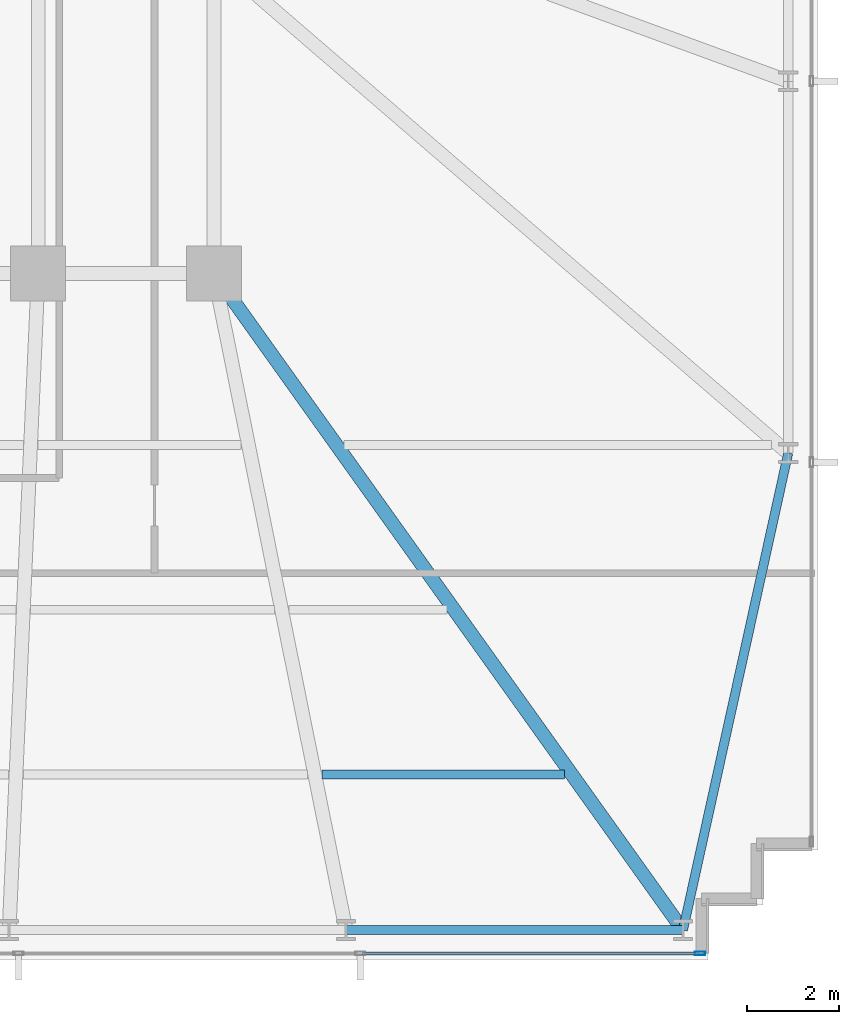
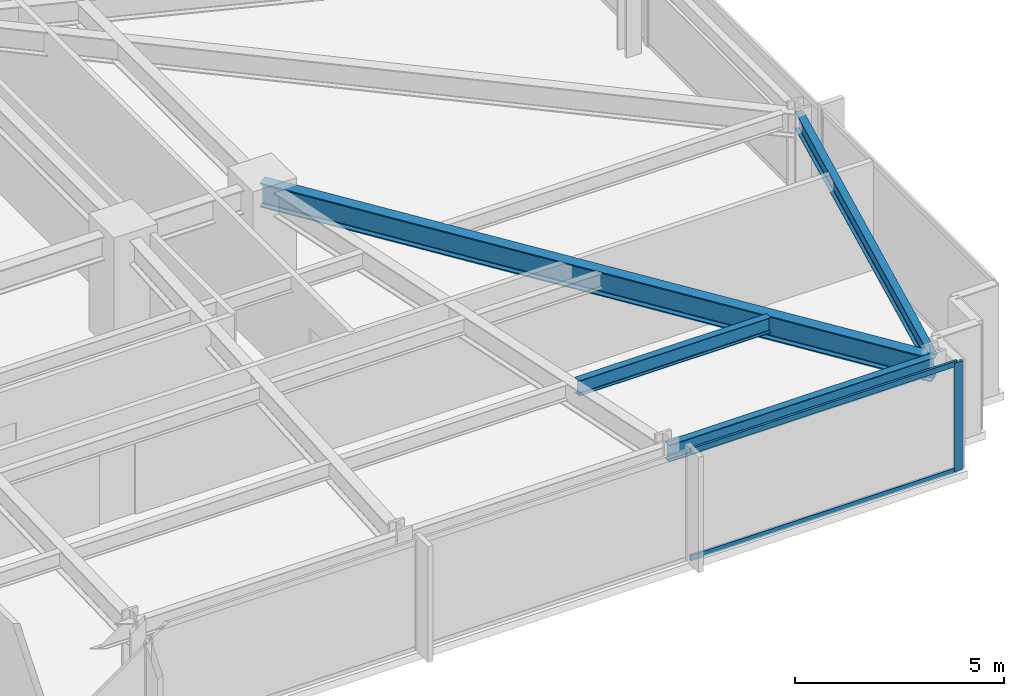
# One storey, part 15 of 32: 4 beams, 3 members, 1 element without a shape of its own.
"""IFC4 building model written with IfcOpenShell, lengths in metres."""

import ifcopenshell
import ifcopenshell.guid

model = None  # the IFC model being written
_history = None  # IfcOwnerHistory: only IFC2X3 demands one
_inside = {}  # id of a spatial element -> (the spatial element, [elements in it])
_under = {}  # id of a project, library or spatial element -> (it, [spatial elements below it])
_declared = {}  # id of a project -> (the project, [libraries it declares])
_typed = {}  # id of a type object -> (the type object, [elements of that type])
_made_of = {}  # id of a material, layer set ... -> (it, [elements and type objects made of it])


def new_model(schema):
    """Start an empty IFC model of exactly this schema.

    Asked for "IFC4X3", IfcOpenShell would pick the latest addendum, in which some entities
    have other attributes; the version numbers below select the first issue.
    IFC2X3 requires an IfcOwnerHistory on every rooted entity: one is made here for all.
    """
    global model, _history
    if schema == "IFC4X3":
        model = ifcopenshell.file(schema_version=(4, 3, 0, 0))
    else:
        model = ifcopenshell.file(schema=schema)
    _inside.clear()
    _under.clear()
    _declared.clear()
    _typed.clear()
    _made_of.clear()
    _history = None
    if model.schema == "IFC2X3":
        org = make("IfcOrganization", Name="unknown")
        user = make(
            "IfcPersonAndOrganization",
            ThePerson=make("IfcPerson", FamilyName="unknown"),
            TheOrganization=org,
        )
        app = make(
            "IfcApplication",
            ApplicationDeveloper=org,
            Version="unknown",
            ApplicationFullName="unknown",
            ApplicationIdentifier="unknown",
        )
        _history = make(
            "IfcOwnerHistory",
            OwningUser=user,
            OwningApplication=app,
            ChangeAction="ADDED",
            CreationDate=0,
        )
    return model


def make(cls, **values):
    """One entity of the class cls with the attributes given. An attribute that is None is left unset."""
    return model.create_entity(
        cls, **{name: value for name, value in values.items() if value is not None}
    )


def rooted(cls, **values):
    """An entity with a GlobalId (a new one), such as an element, a storey or a relation."""
    return make(cls, GlobalId=ifcopenshell.guid.new(), OwnerHistory=_history, **values)


def si_unit(unit_type, name, prefix=None):
    """IfcSIUnit, for example si_unit("LENGTHUNIT", "METRE", prefix="MILLI")."""
    return make("IfcSIUnit", UnitType=unit_type, Prefix=prefix, Name=name)


def assignment(units):
    """IfcUnitAssignment: the units of a project."""
    return None if units is None else make("IfcUnitAssignment", Units=units)


def point(xyz):
    """IfcCartesianPoint."""
    return None if xyz is None else make("IfcCartesianPoint", Coordinates=xyz)


def direction(xyz):
    """IfcDirection."""
    return None if xyz is None else make("IfcDirection", DirectionRatios=xyz)


def frame(location, z_axis=None, x_axis=None):
    """IfcAxis2Placement3D, a coordinate frame: its origin and axes. An axis left out is left unset."""
    return make(
        "IfcAxis2Placement3D",
        Location=point(location),
        Axis=direction(z_axis),
        RefDirection=direction(x_axis),
    )


def frame_2d(location, x_axis=None):
    """IfcAxis2Placement2D, a coordinate frame in the plane: its origin and x axis."""
    return make(
        "IfcAxis2Placement2D", Location=point(location), RefDirection=direction(x_axis)
    )


def origin():
    """The frame at (0, 0, 0) with its axes left unset."""
    return frame((0.0, 0.0, 0.0))


def origin_2d():
    """The frame at (0, 0) in the plane with its x axis left unset."""
    return frame_2d((0.0, 0.0))


def place(relative_to, where):
    """IfcLocalPlacement: puts the frame where relative to a parent placement (None: the world)."""
    return make(
        "IfcLocalPlacement", PlacementRelTo=relative_to, RelativePlacement=where
    )


def context(
    kind, dimensions, precision=None, world=None, true_north=None, identifier=None
):
    """IfcGeometricRepresentationContext, for example the 3D "Model" context."""
    return make(
        "IfcGeometricRepresentationContext",
        ContextIdentifier=identifier,
        ContextType=kind,
        CoordinateSpaceDimension=dimensions,
        Precision=precision,
        WorldCoordinateSystem=world,
        TrueNorth=true_north,
    )


def subcontext(parent, identifier, kind, view, scale=None):
    """IfcGeometricRepresentationSubContext, for example "Body" below "Model"."""
    return make(
        "IfcGeometricRepresentationSubContext",
        ContextIdentifier=identifier,
        ContextType=kind,
        ParentContext=parent,
        TargetScale=scale,
        TargetView=view,
    )


def project(units=None, contexts=None):
    """IfcProject with its units and contexts."""
    return rooted(
        "IfcProject",
        Name="project",
        RepresentationContexts=contexts,
        UnitsInContext=assignment(units),
    )


def spatial(cls, under=None, at=None, **own):
    """A site, building, storey or space (cls), placed at a placement, below another one or the project."""
    s = rooted(cls, ObjectPlacement=at, **own)
    if under is not None:
        _under.setdefault(under.id(), (under, []))[1].append(s)
    return s


def profile(cls, at=None, kind="AREA", **sizes):
    """A parametric profile (cls). Its sizes go by their IFC names, for example OverallWidth=200.0."""
    return make(cls, ProfileType=kind, Position=at, **sizes)


def hollow_rectangle(**sizes):
    """IfcRectangleHollowProfileDef."""
    return profile("IfcRectangleHollowProfileDef", **sizes)


def i_section(**sizes):
    """IfcIShapeProfileDef."""
    return profile("IfcIShapeProfileDef", **sizes)


def extrude(swept, where, along, depth):
    """IfcExtrudedAreaSolid: the profile swept, set in the frame where, extruded along a direction by depth."""
    return make(
        "IfcExtrudedAreaSolid",
        SweptArea=swept,
        Position=where,
        ExtrudedDirection=direction(along),
        Depth=depth,
    )


def shape(context_of_items, identifier, shape_type, items):
    """IfcShapeRepresentation: the items that make up one representation, for example the "Body"."""
    return make(
        "IfcShapeRepresentation",
        ContextOfItems=context_of_items,
        RepresentationIdentifier=identifier,
        RepresentationType=shape_type,
        Items=items,
    )


def material(Name=None, Category=None):
    """IfcMaterial."""
    return make("IfcMaterial", Name=Name, Category=Category)


def material_profile(
    of_material, cross_section, Name=None, Category=None, Priority=None
):
    """IfcMaterialProfile: a cross section and its material."""
    return make(
        "IfcMaterialProfile",
        Name=Name,
        Material=of_material,
        Profile=cross_section,
        Priority=Priority,
        Category=Category,
    )


def profile_set(profiles, Name=None, composite=None):
    """IfcMaterialProfileSet."""
    return make(
        "IfcMaterialProfileSet",
        Name=Name,
        MaterialProfiles=profiles,
        CompositeProfile=composite,
    )


def made_of(thing, what):
    """Note that an element or type object is made of a material, layer set ...; save() writes the relation."""
    if what is not None:
        _made_of.setdefault(what.id(), (what, []))[1].append(thing)
    return thing


def type_object(cls, material=None, **own):
    """A type object (cls), such as IfcWallType, which elements share."""
    return made_of(rooted(cls, **own), material)


def element(
    cls,
    number,
    at=None,
    inside=None,
    cuts=None,
    type_object=None,
    material=None,
    context=None,
    identifier="Body",
    shape_type=None,
    held_by="IfcProductDefinitionShape",
    body=None,
    shapes=None,
    **own,
):
    """One element of the class cls, such as IfcWall. Its Tag is "e" and its number.

    at: its placement. inside: the storey or other place that contains it. cuts: it is an
    opening in that element (IfcRelVoidsElement). A single representation is given by context,
    identifier, shape_type and body (its items); several are given by shapes. held_by: the class
    of the entity that holds the representations. save() writes the other relations.
    """
    e = rooted(cls, Tag="e%d" % number, ObjectPlacement=at, **own)
    if body is not None:
        shapes = [shape(context, identifier, shape_type, body)]
    if shapes is not None:
        e.Representation = make(held_by, Representations=shapes)
    if inside is not None:
        _inside.setdefault(inside.id(), (inside, []))[1].append(e)
    if cuts is not None:
        rooted(
            "IfcRelVoidsElement", RelatingBuildingElement=cuts, RelatedOpeningElement=e
        )
    if type_object is not None:
        _typed.setdefault(type_object.id(), (type_object, []))[1].append(e)
    return made_of(e, material)


def aggregate(whole, parts):
    """IfcRelAggregates: a whole, such as a stair, and the parts it consists of."""
    return rooted("IfcRelAggregates", RelatingObject=whole, RelatedObjects=parts)


def save(model, path):
    """Write the relations noted so far, then the file.

    IfcRelAggregates (storeys below a building ...), IfcRelContainedInSpatialStructure (elements
    in a storey), IfcRelDefinesByType, IfcRelAssociatesMaterial and IfcRelDeclares: one each for
    every whole, place, type object, material and project.
    """
    for whole, parts in _under.values():
        aggregate(whole, parts)
    for where, things in _inside.values():
        rooted(
            "IfcRelContainedInSpatialStructure",
            RelatedElements=things,
            RelatingStructure=where,
        )
    for kind, things in _typed.values():
        rooted("IfcRelDefinesByType", RelatedObjects=things, RelatingType=kind)
    for what, things in _made_of.values():
        rooted("IfcRelAssociatesMaterial", RelatedObjects=things, RelatingMaterial=what)
    for by, libraries in _declared.values():
        rooted("IfcRelDeclares", RelatingContext=by, RelatedDefinitions=libraries)
    model.write(path)


model = new_model("IFC4")

# Units and contexts
model_context = context("Model", 3, precision=1e-05, world=origin(), true_north=direction((0.0, 1.0)))
body_context = subcontext(model_context, "Body", "Model", "MODEL_VIEW")
ifc_project = project(units=[si_unit("LENGTHUNIT", "METRE"), si_unit("AREAUNIT", "SQUARE_METRE"), si_unit("VOLUMEUNIT", "CUBIC_METRE"), si_unit("PLANEANGLEUNIT", "RADIAN"), si_unit("MASSUNIT", "GRAM", prefix="KILO")], contexts=[model_context])

# Site, building, storey
site_placement = place(None, origin())
site = spatial("IfcSite", under=ifc_project, at=site_placement, CompositionType="ELEMENT")
building_placement = place(site_placement, origin())
building = spatial("IfcBuilding", under=site, at=building_placement, Name="Yelkora Congress Tower", CompositionType="ELEMENT")
storey_placement = place(building_placement, frame((0.0, 0.0, 33.800048828125)))
storey = spatial("IfcBuildingStorey", under=building, at=storey_placement, Name="L07", CompositionType="ELEMENT", Elevation=33.800048828125)

# Beams
ifc_material_1 = material(Name="Steel S355J2", Category="steel")
ifc_material_profile_1 = material_profile(ifc_material_1, i_section(OverallWidth=0.300048828125, OverallDepth=0.699951171875, WebThickness=0.01708984375, FlangeThickness=0.031982421875, FilletRadius=0.027099609375, at=origin_2d()), Name="HEB 700")
ifc_profile_set_1 = profile_set([ifc_material_profile_1], Name="Steel S355J2")
beam_type_1 = type_object("IfcBeamType", Name="BM-GIRD-HEB700", PredefinedType="BEAM", material=ifc_profile_set_1)
beam_1_placement = place(storey_placement, frame((67.85009765625, 10.85009765625, 2.829833984375), z_axis=(-0.581242122521, 0.813730664906, 0.0), x_axis=(-0.813730664906, -0.581242122521, 0.0)))
element("IfcBeam", 1, at=beam_1_placement, inside=storey, type_object=beam_type_1, Name="L07 Primary Frame Girder S09", PredefinedType="BEAM", context=body_context, shape_type="SweptSolid", body=[
    extrude(i_section(OverallWidth=0.300048828125, OverallDepth=0.699951171875, WebThickness=0.01708984375, FlangeThickness=0.031982421875, FilletRadius=0.027099609375, at=origin_2d()), origin(), (0.0, 0.0, 1.0), 17.634765625),
])
ifc_material_profile_2 = material_profile(ifc_material_1, i_section(OverallWidth=0.18994140625, OverallDepth=0.449951171875, WebThickness=0.009521484375, FlangeThickness=0.0146484375, FilletRadius=0.02099609375, at=origin_2d()), Name="IPE 450")
ifc_profile_set_2 = profile_set([ifc_material_profile_2], Name="Steel S355J2")
beam_type_2 = type_object("IfcBeamType", Name="BM-JOIST-IPE450", PredefinedType="JOIST", material=ifc_profile_set_2)
beam_2_placement = place(storey_placement, frame((59.96337890625, 14.25, 2.954833984375), z_axis=(1.0, 0.0, 0.0), x_axis=(0.0, 1.0, 0.0)))
element("IfcBeam", 2, at=beam_2_placement, inside=storey, type_object=beam_type_2, Name="L07 Composite Floor Joist 8", PredefinedType="JOIST", context=body_context, shape_type="SweptSolid", body=[
    extrude(i_section(OverallWidth=0.18994140625, OverallDepth=0.449951171875, WebThickness=0.009521484375, FlangeThickness=0.0146484375, FilletRadius=0.02099609375, at=origin_2d()), origin(), (0.0, 0.0, 1.0), 5.298095703125),
])
ifc_material_profile_3 = material_profile(ifc_material_1, i_section(OverallWidth=0.199951171875, OverallDepth=0.5, WebThickness=0.01025390625, FlangeThickness=0.01611328125, FilletRadius=0.02099609375, at=origin_2d()), Name="IPE 500")
ifc_profile_set_3 = profile_set([ifc_material_profile_3], Name="Steel S355J2")
beam_type_3 = type_object("IfcBeamType", Name="BM-SPAN-IPE500", PredefinedType="SPANDREL", material=ifc_profile_set_3)
beam_3_placement = place(storey_placement, frame((60.487548828125, 10.85009765625, 2.929931640625), z_axis=(1.0, 0.0, 0.0), x_axis=(0.0, 1.0, 0.0)))
element("IfcBeam", 3, at=beam_3_placement, inside=storey, type_object=beam_type_3, Name="L07 Perimeter Beam 9", PredefinedType="SPANDREL", context=body_context, shape_type="SweptSolid", body=[
    extrude(i_section(OverallWidth=0.199951171875, OverallDepth=0.5, WebThickness=0.01025390625, FlangeThickness=0.01611328125, FilletRadius=0.02099609375, at=origin_2d()), origin(), (0.0, 0.0, 1.0), 7.362548828125),
])
beam_4_placement = place(storey_placement, frame((67.85009765625, 10.85009765625, 2.929931640625), z_axis=(0.215428898349, 0.97651952861, 0.0), x_axis=(-0.97651952861, 0.215428898349, 0.0)))
element("IfcBeam", 4, at=beam_4_placement, inside=storey, type_object=beam_type_3, Name="L07 Perimeter Beam 10", PredefinedType="SPANDREL", context=body_context, shape_type="SweptSolid", body=[
    extrude(i_section(OverallWidth=0.199951171875, OverallDepth=0.5, WebThickness=0.01025390625, FlangeThickness=0.01611328125, FilletRadius=0.02099609375, at=origin_2d()), origin(), (0.0, 0.0, 1.0), 10.675537109375),
])

# Curtain wall, members
ifc_material_2 = material(Name="Anodised aluminium and insulated glass", Category="aluminium")
curtain_wall_type = type_object("IfcCurtainWallType", Name="CW-SYS-B1", PredefinedType="NOTDEFINED", material=ifc_material_2)
curtain_wall_placement = place(storey_placement, origin())
curtain_wall = element("IfcCurtainWall", 5, at=curtain_wall_placement, inside=storey, type_object=curtain_wall_type, Name="L07 Unitised Curtain Wall 20", PredefinedType="NOTDEFINED")
ifc_material_3 = material(Name="Anodised aluminium 6063-T6", Category="aluminium")
ifc_material_profile_4 = material_profile(ifc_material_3, hollow_rectangle(XDim=0.074951171875, YDim=0.219970703125, WallThickness=0.0048828125, at=origin_2d()), Name="ALU 75x220x5")
ifc_profile_set_4 = profile_set([ifc_material_profile_4], Name="Anodised aluminium 6063-T6")
member_type_1 = type_object("IfcMemberType", Name="MEM-ML-B1", PredefinedType="MULLION", material=ifc_profile_set_4)
member_1_placement = place(storey_placement, frame((68.222412109375, 10.340087890625, 0.0), z_axis=(0.0, 0.0, 1.0), x_axis=(0.0, -1.0, 0.0)))
member_1 = element("IfcMember", 6, at=member_1_placement, type_object=member_type_1, Name="CW-B1 mullion 1", PredefinedType="MULLION", context=body_context, shape_type="SweptSolid", body=[
    extrude(hollow_rectangle(XDim=0.074951171875, YDim=0.219970703125, WallThickness=0.0048828125, at=origin_2d()), origin(), (0.0, 0.0, 1.0), 3.179931640625),
])
ifc_material_profile_5 = material_profile(ifc_material_3, hollow_rectangle(XDim=0.06494140625, YDim=0.159912109375, WallThickness=0.00390625, at=origin_2d()), Name="ALU 65x160x4")
ifc_profile_set_5 = profile_set([ifc_material_profile_5], Name="Anodised aluminium 6063-T6")
member_type_2 = type_object("IfcMemberType", Name="MEM-TR-B1", PredefinedType="USERDEFINED", material=ifc_profile_set_5)
member_2_placement = place(storey_placement, frame((68.18505859375, 10.340087890625, 0.032470703125), z_axis=(-1.0, 0.0, 0.0), x_axis=(0.0, -1.0, 0.0)))
member_2 = element("IfcMember", 7, at=member_2_placement, type_object=member_type_2, Name="CW-B1 transom 1.1", ObjectType="TRANSOM", PredefinedType="USERDEFINED", context=body_context, shape_type="SweptSolid", body=[
    extrude(hollow_rectangle(XDim=0.06494140625, YDim=0.159912109375, WallThickness=0.00390625, at=origin_2d()), origin(), (0.0, 0.0, 1.0), 7.3525390625),
])
member_3_placement = place(storey_placement, frame((68.18505859375, 10.340087890625, 3.1474609375), z_axis=(-1.0, 0.0, 0.0), x_axis=(0.0, -1.0, 0.0)))
member_3 = element("IfcMember", 8, at=member_3_placement, type_object=member_type_2, Name="CW-B1 transom 1.2", ObjectType="TRANSOM", PredefinedType="USERDEFINED", context=body_context, shape_type="SweptSolid", body=[
    extrude(hollow_rectangle(XDim=0.06494140625, YDim=0.159912109375, WallThickness=0.00390625, at=origin_2d()), origin(), (0.0, 0.0, 1.0), 7.3525390625),
])
aggregate(curtain_wall, [member_1, member_2, member_3])

save(model, "model.ifc")
